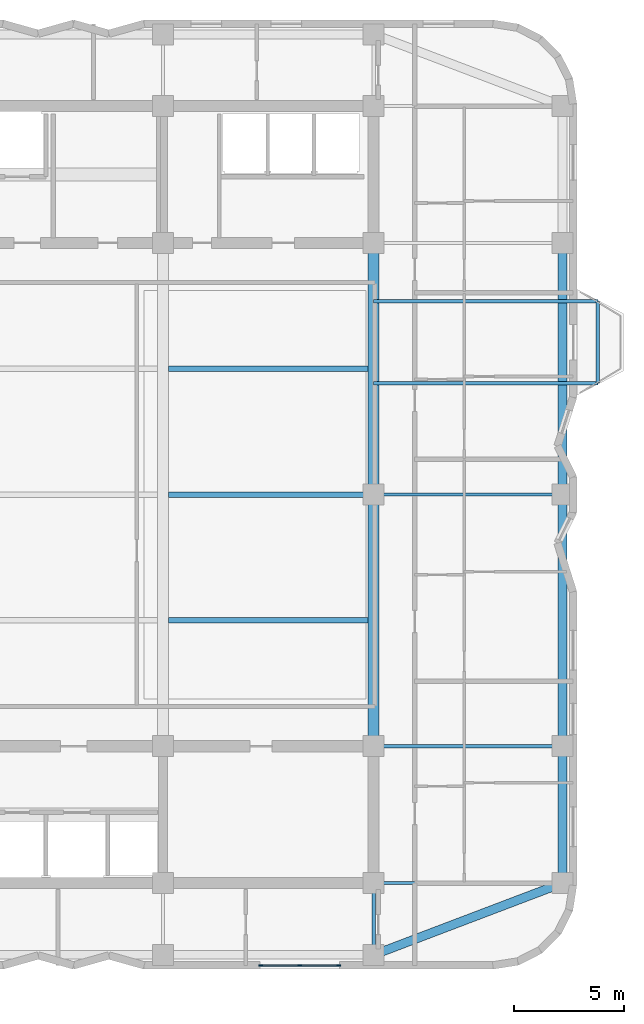
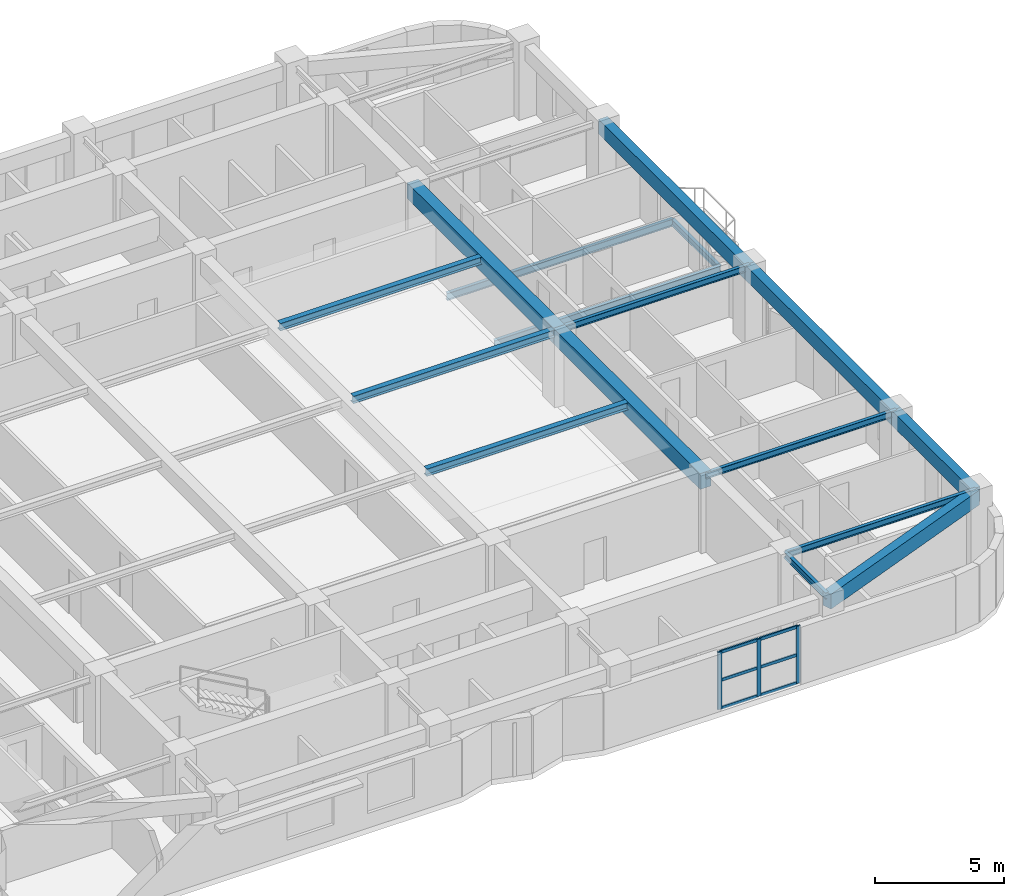
# One storey, part 2 of 12: 16 beams, 9 members, 1 element without a shape of its own.
"""IFC4 building model written with IfcOpenShell, lengths in metres."""

from ifc_helpers import new_model, si_unit, direction, frame, origin, origin_2d, place, context, subcontext, project, spatial, rectangle, i_section, extrude, material, material_profile, profile_set, type_object, element, aggregate, save


model = new_model("IFC4")

# Units and contexts
model_context = context("Model", 3, precision=1e-05, world=origin(), true_north=direction((0.0, 1.0)))
body_context = subcontext(model_context, "Body", "Model", "MODEL_VIEW")
ifc_project = project(units=[si_unit("LENGTHUNIT", "METRE"), si_unit("AREAUNIT", "SQUARE_METRE"), si_unit("VOLUMEUNIT", "CUBIC_METRE"), si_unit("PLANEANGLEUNIT", "RADIAN"), si_unit("MASSUNIT", "GRAM", prefix="KILO")], contexts=[model_context])

# Site, building, storey
site_placement = place(None, origin())
site = spatial("IfcSite", under=ifc_project, at=site_placement, CompositionType="ELEMENT")
building_placement = place(site_placement, origin())
building = spatial("IfcBuilding", under=site, at=building_placement, Name="Svetorya Sky Lyceum", CompositionType="ELEMENT")
storey_placement = place(building_placement, frame((0.0, 0.0, 177.39990234375)))
storey = spatial("IfcBuildingStorey", under=building, at=storey_placement, Name="L44", CompositionType="ELEMENT", Elevation=177.39990234375)

# Beams
ifc_material_1 = material(Name="Concrete C50/60", Category="concrete")
ifc_material_profile_1 = material_profile(ifc_material_1, rectangle(XDim=0.5, YDim=0.75, at=origin_2d()), Name="RC BEAM 500x750")
ifc_profile_set_1 = profile_set([ifc_material_profile_1], Name="Concrete C50/60")
beam_type_1 = type_object("IfcBeamType", Name="BM-RC-750", PredefinedType="BEAM", material=ifc_profile_set_1)
beam_1_placement = place(storey_placement, frame((52.800048828125, 16.800048828125, 3.065185546875), z_axis=(0.0, 1.0, 0.0), x_axis=(-1.0, 0.0, 0.0)))
element("IfcBeam", 1, at=beam_1_placement, inside=storey, type_object=beam_type_1, Name="L44 Central Bay Primary Girder CG-4A", PredefinedType="BEAM", context=body_context, shape_type="SweptSolid", body=[
    extrude(rectangle(XDim=0.5, YDim=0.75, at=origin_2d()), origin(), (0.0, 0.0, 1.0), 11.39990234375),
])
beam_2_placement = place(storey_placement, frame((52.800048828125, 28.199951171875, 3.065185546875), z_axis=(0.0, 1.0, 0.0), x_axis=(-1.0, 0.0, 0.0)))
element("IfcBeam", 2, at=beam_2_placement, inside=storey, type_object=beam_type_1, Name="L44 Central Bay Primary Girder CG-4B", PredefinedType="BEAM", context=body_context, shape_type="SweptSolid", body=[
    extrude(rectangle(XDim=0.5, YDim=0.75, at=origin_2d()), origin(), (0.0, 0.0, 1.0), 11.400146484375),
])
ifc_material_profile_2 = material_profile(ifc_material_1, rectangle(XDim=0.39990234375, YDim=0.699951171875, at=origin_2d()), Name="RC SPANDREL 400x700")
ifc_profile_set_2 = profile_set([ifc_material_profile_2], Name="Concrete C50/60")
beam_type_2 = type_object("IfcBeamType", Name="BM-SPN-700", PredefinedType="SPANDREL", material=ifc_profile_set_2)
beam_3_placement = place(storey_placement, frame((52.800048828125, 7.35009765625, 3.090087890625), z_axis=(0.934747947367, 0.355311518099, 0.0), x_axis=(-0.355311518099, 0.934747947367, 0.0)))
element("IfcBeam", 3, at=beam_3_placement, inside=storey, type_object=beam_type_2, Name="L44 Corner Spandrel 2", PredefinedType="SPANDREL", context=body_context, shape_type="SweptSolid", body=[
    extrude(rectangle(XDim=0.39990234375, YDim=0.699951171875, at=origin_2d()), origin(), (0.0, 0.0, 1.0), 9.14697265625),
])
beam_4_placement = place(storey_placement, frame((61.35009765625, 10.60009765625, 3.090087890625), z_axis=(0.0, 1.0, 0.0), x_axis=(-1.0, 0.0, 0.0)))
element("IfcBeam", 4, at=beam_4_placement, inside=storey, type_object=beam_type_2, Name="L44 East Spandrel 1", PredefinedType="SPANDREL", context=body_context, shape_type="SweptSolid", body=[
    extrude(rectangle(XDim=0.39990234375, YDim=0.699951171875, at=origin_2d()), origin(), (0.0, 0.0, 1.0), 6.199951171875),
])
beam_5_placement = place(storey_placement, frame((61.35009765625, 16.800048828125, 3.090087890625), z_axis=(0.0, 1.0, 0.0), x_axis=(-1.0, 0.0, 0.0)))
element("IfcBeam", 5, at=beam_5_placement, inside=storey, type_object=beam_type_2, Name="L44 East Spandrel 2", PredefinedType="SPANDREL", context=body_context, shape_type="SweptSolid", body=[
    extrude(rectangle(XDim=0.39990234375, YDim=0.699951171875, at=origin_2d()), origin(), (0.0, 0.0, 1.0), 11.39990234375),
])
beam_6_placement = place(storey_placement, frame((61.35009765625, 28.199951171875, 3.090087890625), z_axis=(0.0, 1.0, 0.0), x_axis=(-1.0, 0.0, 0.0)))
element("IfcBeam", 6, at=beam_6_placement, inside=storey, type_object=beam_type_2, Name="L44 East Spandrel 3", PredefinedType="SPANDREL", context=body_context, shape_type="SweptSolid", body=[
    extrude(rectangle(XDim=0.39990234375, YDim=0.699951171875, at=origin_2d()), origin(), (0.0, 0.0, 1.0), 11.400146484375),
])
ifc_material_2 = material(Name="Steel S355", Category="steel")
ifc_material_profile_3 = material_profile(ifc_material_2, i_section(OverallWidth=0.14990234375, OverallDepth=0.299072265625, WebThickness=0.006591796875, FlangeThickness=0.010498046875, at=origin_2d()), Name="GOST 30B2")
ifc_profile_set_3 = profile_set([ifc_material_profile_3], Name="Steel S355")
beam_type_3 = type_object("IfcBeamType", Name="BM-STL-30B2", PredefinedType="JOIST", material=ifc_profile_set_3)
beam_7_placement = place(storey_placement, frame((62.949951171875, 33.25, -0.434326171875), z_axis=(0.0, 1.0, 0.0), x_axis=(-1.0, 0.0, 0.0)))
element("IfcBeam", 7, at=beam_7_placement, inside=storey, type_object=beam_type_3, Name="L44 Balcony Edge Tie BAL-E1", PredefinedType="JOIST", context=body_context, shape_type="SweptSolid", body=[
    extrude(i_section(OverallWidth=0.14990234375, OverallDepth=0.299072265625, WebThickness=0.006591796875, FlangeThickness=0.010498046875, at=origin_2d()), origin(), (0.0, 0.0, 1.0), 3.699951171875),
])
for number, where, z_axis, x_axis, name in (
    (8, (52.800048828125, 10.60009765625, 3.29052734375), (1.0, 0.0, 0.0), (0.0, 1.0, 0.0), "L44 East Wing Floor Joist E1"),
    (9, (52.800048828125, 16.800048828125, 3.29052734375), (1.0, 0.0, 0.0), (0.0, 1.0, 0.0), "L44 East Wing Floor Joist E2"),
    (10, (52.800048828125, 28.199951171875, 3.29052734375), (1.0, 0.0, 0.0), (0.0, 1.0, 0.0), "L44 East Wing Floor Joist E3"),
):
    element("IfcBeam", number, at=place(storey_placement, frame(where, z_axis=z_axis, x_axis=x_axis)), inside=storey, type_object=beam_type_3, Name=name, PredefinedType="JOIST", context=body_context, shape_type="SweptSolid", body=[
        extrude(i_section(OverallWidth=0.14990234375, OverallDepth=0.299072265625, WebThickness=0.006591796875, FlangeThickness=0.010498046875, at=origin_2d()), origin(), (0.0, 0.0, 1.0), 8.550048828125),
    ])
beam_8_placement = place(storey_placement, frame((52.800048828125, 7.35009765625, 3.29052734375), z_axis=(0.0, 1.0, 0.0), x_axis=(-1.0, 0.0, 0.0)))
element("IfcBeam", 11, at=beam_8_placement, inside=storey, type_object=beam_type_3, Name="L44 South Bay Floor Girder S4", PredefinedType="JOIST", context=body_context, shape_type="SweptSolid", body=[
    extrude(i_section(OverallWidth=0.14990234375, OverallDepth=0.299072265625, WebThickness=0.006591796875, FlangeThickness=0.010498046875, at=origin_2d()), origin(), (0.0, 0.0, 1.0), 3.25),
])
ifc_material_profile_4 = material_profile(ifc_material_2, i_section(OverallWidth=0.155029296875, OverallDepth=0.34912109375, WebThickness=0.007080078125, FlangeThickness=0.011474609375, at=origin_2d()), Name="GOST 35B2")
ifc_profile_set_4 = profile_set([ifc_material_profile_4], Name="Steel S355")
beam_type_4 = type_object("IfcBeamType", Name="BM-STL-35B2", PredefinedType="JOIST", material=ifc_profile_set_4)
for number, where, z_axis, x_axis, name in (
    (12, (52.800048828125, 33.25, -0.434326171875), (1.0, 0.0, 0.0), (0.0, 1.0, 0.0), "L44 Balcony Cantilever Beam BAL-E1-1"),
    (13, (52.800048828125, 36.949951171875, -0.434326171875), (1.0, 0.0, 0.0), (0.0, 1.0, 0.0), "L44 Balcony Cantilever Beam BAL-E1-2"),
):
    element("IfcBeam", number, at=place(storey_placement, frame(where, z_axis=z_axis, x_axis=x_axis)), inside=storey, type_object=beam_type_4, Name=name, PredefinedType="JOIST", context=body_context, shape_type="SweptSolid", body=[
        extrude(i_section(OverallWidth=0.155029296875, OverallDepth=0.34912109375, WebThickness=0.007080078125, FlangeThickness=0.011474609375, at=origin_2d()), origin(), (0.0, 0.0, 1.0), 10.14990234375),
    ])
ifc_material_profile_5 = material_profile(ifc_material_2, i_section(OverallWidth=0.25, OverallDepth=0.345947265625, WebThickness=0.009521484375, FlangeThickness=0.014404296875, at=origin_2d()), Name="GOST 35Sh2")
ifc_profile_set_5 = profile_set([ifc_material_profile_5], Name="Steel S355")
beam_type_5 = type_object("IfcBeamType", Name="BM-STL-35SH2", PredefinedType="BEAM", material=ifc_profile_set_5)
for number, where, z_axis, x_axis, name in (
    (14, (43.5, 22.5, 3.26708984375), (1.0, 0.0, 0.0), (0.0, 1.0, 0.0), "L44 Central Floor Joist CJ-1.3"),
    (15, (43.5, 28.199951171875, 3.26708984375), (1.0, 0.0, 0.0), (0.0, 1.0, 0.0), "L44 Central Floor Joist CJ-2.3"),
    (16, (43.5, 33.89990234375, 3.26708984375), (1.0, 0.0, 0.0), (0.0, 1.0, 0.0), "L44 Central Floor Joist CJ-3.3"),
):
    element("IfcBeam", number, at=place(storey_placement, frame(where, z_axis=z_axis, x_axis=x_axis)), inside=storey, type_object=beam_type_5, Name=name, PredefinedType="BEAM", context=body_context, shape_type="SweptSolid", body=[
        extrude(i_section(OverallWidth=0.25, OverallDepth=0.345947265625, WebThickness=0.009521484375, FlangeThickness=0.014404296875, at=origin_2d()), origin(), (0.0, 0.0, 1.0), 9.050048828125),
    ])

# Curtain wall, members
ifc_material_3 = material(Name="Thermally broken anodized aluminium and triple low-E glass", Category="aluminium")
curtain_wall_type = type_object("IfcCurtainWallType", Name="CW3-LOG-RES", PredefinedType="NOTDEFINED", material=ifc_material_3)
curtain_wall_placement = place(storey_placement, origin())
curtain_wall = element("IfcCurtainWall", 17, at=curtain_wall_placement, inside=storey, type_object=curtain_wall_type, Name="L44 Recessed Loggia Curtain Wall 11", PredefinedType="NOTDEFINED")
ifc_material_4 = material(Name="Thermally broken anodized aluminium EN AW-6060", Category="aluminium")
ifc_material_profile_6 = material_profile(ifc_material_4, rectangle(XDim=0.06494140625, YDim=0.179931640625, at=origin_2d()), Name="ALU MULLION 65x180")
ifc_profile_set_6 = profile_set([ifc_material_profile_6], Name="Thermally broken anodized aluminium EN AW-6060")
member_type_1 = type_object("IfcMemberType", Name="CWM-MUL-180", PredefinedType="MULLION", material=ifc_profile_set_6)
member_1_placement = place(storey_placement, frame((47.6826171875, 6.8701171875, 0.0), z_axis=(0.0, 0.0, 1.0), x_axis=(0.0, 1.0, 0.0)))
member_1 = element("IfcMember", 18, at=member_1_placement, type_object=member_type_1, Name="CW-3 mullion 1", PredefinedType="MULLION", context=body_context, shape_type="SweptSolid", body=[
    extrude(rectangle(XDim=0.06494140625, YDim=0.179931640625, at=origin_2d()), origin(), (0.0, 0.0, 1.0), 2.72021484375),
])
member_2_placement = place(storey_placement, frame((49.449951171875, 6.8701171875, 0.0), z_axis=(0.0, 0.0, 1.0), x_axis=(0.0, 1.0, 0.0)))
member_2 = element("IfcMember", 19, at=member_2_placement, type_object=member_type_1, Name="CW-3 mullion 2", PredefinedType="MULLION", context=body_context, shape_type="SweptSolid", body=[
    extrude(rectangle(XDim=0.06494140625, YDim=0.179931640625, at=origin_2d()), origin(), (0.0, 0.0, 1.0), 2.72021484375),
])
member_3_placement = place(storey_placement, frame((51.217529296875, 6.8701171875, 0.0), z_axis=(0.0, 0.0, 1.0), x_axis=(0.0, 1.0, 0.0)))
member_3 = element("IfcMember", 20, at=member_3_placement, type_object=member_type_1, Name="CW-3 mullion 3", PredefinedType="MULLION", context=body_context, shape_type="SweptSolid", body=[
    extrude(rectangle(XDim=0.06494140625, YDim=0.179931640625, at=origin_2d()), origin(), (0.0, 0.0, 1.0), 2.72021484375),
])
ifc_material_profile_7 = material_profile(ifc_material_4, rectangle(XDim=0.06494140625, YDim=0.139892578125, at=origin_2d()), Name="ALU TRANSOM 65x140")
ifc_profile_set_7 = profile_set([ifc_material_profile_7], Name="Thermally broken anodized aluminium EN AW-6060")
member_type_2 = type_object("IfcMemberType", Name="CWM-TRN-140", PredefinedType="USERDEFINED", material=ifc_profile_set_7)
member_4_placement = place(storey_placement, frame((47.71337890625, 6.8701171875, 0.03271484375), z_axis=(1.0, 0.0, 0.0), x_axis=(0.0, 1.0, 0.0)))
member_4 = element("IfcMember", 21, at=member_4_placement, type_object=member_type_2, Name="CW-3 transom 1.1", ObjectType="TRANSOM", PredefinedType="USERDEFINED", context=body_context, shape_type="SweptSolid", body=[
    extrude(rectangle(XDim=0.06494140625, YDim=0.139892578125, at=origin_2d()), origin(), (0.0, 0.0, 1.0), 1.70556640625),
])
member_5_placement = place(storey_placement, frame((47.71337890625, 6.8701171875, 1.360107421875), z_axis=(1.0, 0.0, 0.0), x_axis=(0.0, 1.0, 0.0)))
member_5 = element("IfcMember", 22, at=member_5_placement, type_object=member_type_2, Name="CW-3 transom 1.2", ObjectType="TRANSOM", PredefinedType="USERDEFINED", context=body_context, shape_type="SweptSolid", body=[
    extrude(rectangle(XDim=0.06494140625, YDim=0.139892578125, at=origin_2d()), origin(), (0.0, 0.0, 1.0), 1.70556640625),
])
member_6_placement = place(storey_placement, frame((47.71337890625, 6.8701171875, 2.6875), z_axis=(1.0, 0.0, 0.0), x_axis=(0.0, 1.0, 0.0)))
member_6 = element("IfcMember", 23, at=member_6_placement, type_object=member_type_2, Name="CW-3 transom 1.3", ObjectType="TRANSOM", PredefinedType="USERDEFINED", context=body_context, shape_type="SweptSolid", body=[
    extrude(rectangle(XDim=0.06494140625, YDim=0.139892578125, at=origin_2d()), origin(), (0.0, 0.0, 1.0), 1.70556640625),
])
member_7_placement = place(storey_placement, frame((49.48095703125, 6.8701171875, 0.03271484375), z_axis=(1.0, 0.0, 0.0), x_axis=(0.0, 1.0, 0.0)))
member_7 = element("IfcMember", 24, at=member_7_placement, type_object=member_type_2, Name="CW-3 transom 2.1", ObjectType="TRANSOM", PredefinedType="USERDEFINED", context=body_context, shape_type="SweptSolid", body=[
    extrude(rectangle(XDim=0.06494140625, YDim=0.139892578125, at=origin_2d()), origin(), (0.0, 0.0, 1.0), 1.70556640625),
])
member_8_placement = place(storey_placement, frame((49.48095703125, 6.8701171875, 1.360107421875), z_axis=(1.0, 0.0, 0.0), x_axis=(0.0, 1.0, 0.0)))
member_8 = element("IfcMember", 25, at=member_8_placement, type_object=member_type_2, Name="CW-3 transom 2.2", ObjectType="TRANSOM", PredefinedType="USERDEFINED", context=body_context, shape_type="SweptSolid", body=[
    extrude(rectangle(XDim=0.06494140625, YDim=0.139892578125, at=origin_2d()), origin(), (0.0, 0.0, 1.0), 1.70556640625),
])
member_9_placement = place(storey_placement, frame((49.48095703125, 6.8701171875, 2.6875), z_axis=(1.0, 0.0, 0.0), x_axis=(0.0, 1.0, 0.0)))
member_9 = element("IfcMember", 26, at=member_9_placement, type_object=member_type_2, Name="CW-3 transom 2.3", ObjectType="TRANSOM", PredefinedType="USERDEFINED", context=body_context, shape_type="SweptSolid", body=[
    extrude(rectangle(XDim=0.06494140625, YDim=0.139892578125, at=origin_2d()), origin(), (0.0, 0.0, 1.0), 1.70556640625),
])
aggregate(curtain_wall, [member_1, member_2, member_3, member_4, member_5, member_6, member_7, member_8, member_9])

save(model, "model.ifc")
